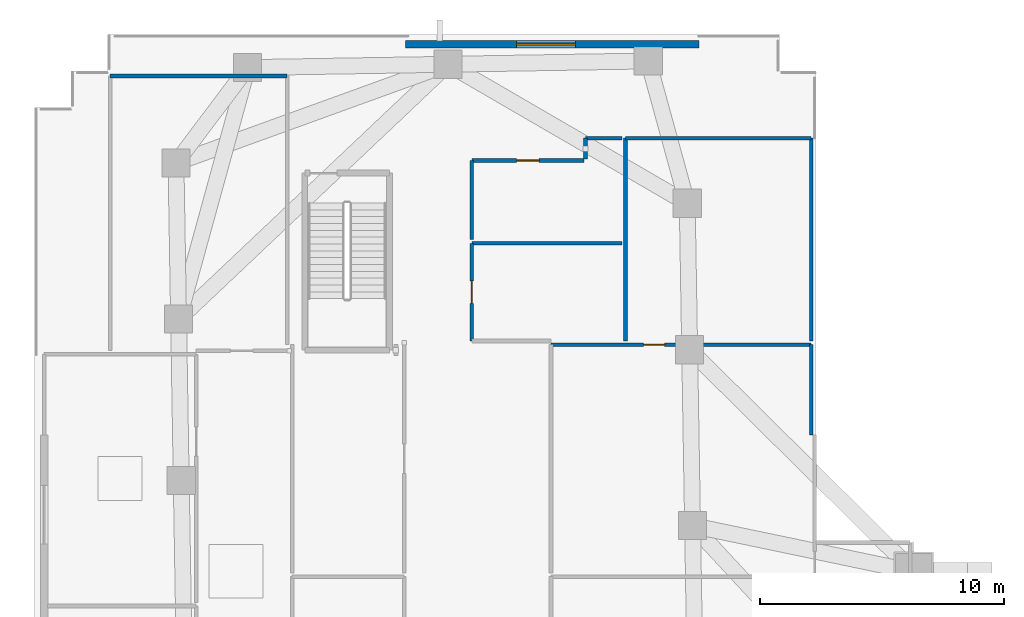
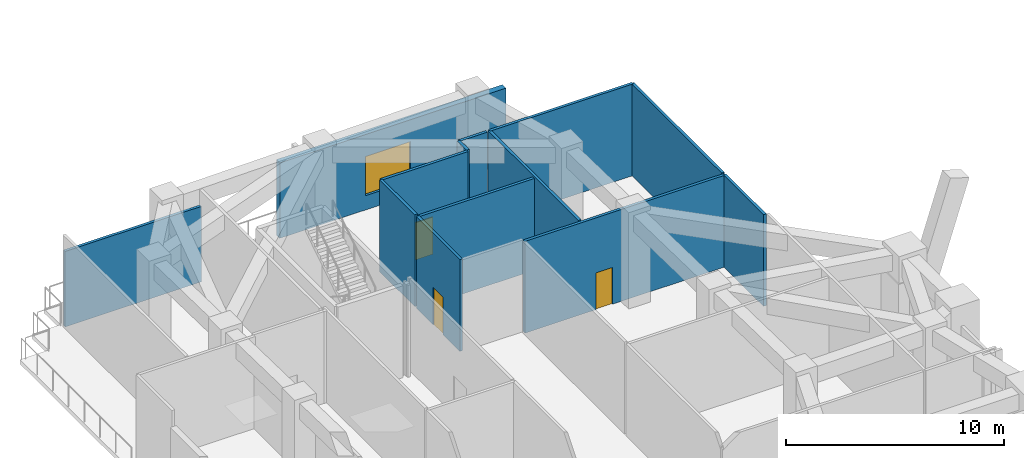
# One storey, part 10 of 18: 13 walls, 3 doors, 1 window, 4 openings.
"""IFC4 building model written with IfcOpenShell, lengths in metres."""

from ifc_helpers import new_model, si_unit, direction, frame, frame_2d, origin, place, context, subcontext, project, spatial, rectangle, extrude, material, layer, layer_set, type_object, element, fill, save


model = new_model("IFC4")

# Units and contexts
model_context = context("Model", 3, precision=1e-05, world=origin(), true_north=direction((0.0, 1.0)))
body_context = subcontext(model_context, "Body", "Model", "MODEL_VIEW")
ifc_project = project(units=[si_unit("LENGTHUNIT", "METRE"), si_unit("AREAUNIT", "SQUARE_METRE"), si_unit("VOLUMEUNIT", "CUBIC_METRE"), si_unit("PLANEANGLEUNIT", "RADIAN"), si_unit("MASSUNIT", "GRAM", prefix="KILO")], contexts=[model_context])

# Site, building, storey
site_placement = place(None, origin())
site = spatial("IfcSite", under=ifc_project, at=site_placement, CompositionType="ELEMENT")
building_placement = place(site_placement, origin())
building = spatial("IfcBuilding", under=site, at=building_placement, Name="Gaonmaruhae Medical Tower", CompositionType="ELEMENT")
storey_placement = place(building_placement, frame((0.0, 0.0, 5.39990234375)))
storey = spatial("IfcBuildingStorey", under=building, at=storey_placement, Name="L01", CompositionType="ELEMENT", Elevation=5.39990234375)

# Wall, opening, window
ifc_material_1 = material(Name="Precast concrete C45/55", Category="concrete")
ifc_layer_1 = layer(ifc_material_1, 0.320068359375)
ifc_layer_set_1 = layer_set([ifc_layer_1], Name="Precast concrete C45/55")
wall_type_1 = type_object("IfcWallType", Name="EW-320 Lower Precast Masonry-Frame Facade Wall", PredefinedType="SOLIDWALL", material=ifc_layer_set_1)
wall_1_placement = place(storey_placement, frame((15.199951171875, 50.800048828125, 0.0), z_axis=(0.0, 0.0, 1.0), x_axis=(1.0, 0.0, 0.0)))
wall_1 = element("IfcWall", 1, at=wall_1_placement, inside=storey, type_object=wall_type_1, Name="L01 Precast Facade Wall PB-N2", PredefinedType="SOLIDWALL", context=body_context, shape_type="SweptSolid", body=[
    extrude(rectangle(XDim=12.0, YDim=0.320068359375, at=frame_2d((6.0, 0.0))), origin(), (0.0, 0.0, 1.0), 4.22998046875),
])
opening_1_placement = place(wall_1_placement, frame((4.544921875, 0.0, 0.800048828125)))
opening_1 = element("IfcOpeningElement", 2, at=opening_1_placement, cuts=wall_1, Name="Opening WN-06", PredefinedType="OPENING", context=body_context, shape_type="SweptSolid", body=[
    extrude(rectangle(XDim=2.39990234375, YDim=2.199951171875, at=frame_2d((1.199951171875, 1.10009765625))), frame((0.0, 0.169921875, 0.0), z_axis=(0.0, -1.0, 0.0), x_axis=(1.0, 0.0, 0.0)), (0.0, 0.0, 1.0), 0.340087890625),
])
ifc_material_2 = material(Name="Anodised aluminium and Low-E double glazing", Category="aluminium")
window_type = type_object("IfcWindowType", Name="WN-06 Podium Diagnostic Punched Window 2400x2200", PartitioningType="SINGLE_PANEL", PredefinedType="WINDOW", material=ifc_material_2)
window_placement = place(opening_1_placement, origin())
window = element("IfcWindow", 3, at=window_placement, inside=storey, type_object=window_type, Name="L01 Podium Punched Window PB-N2", OverallHeight=2.199951171875, OverallWidth=2.39990234375, PartitioningType="SINGLE_PANEL", PredefinedType="WINDOW", context=body_context, shape_type="SweptSolid", body=[
    extrude(rectangle(XDim=2.39990234375, YDim=2.199951171875, at=frame_2d((1.199951171875, 1.10009765625))), frame((0.0, 0.030029296875, 0.0), z_axis=(0.0, -1.0, 0.0), x_axis=(1.0, 0.0, 0.0)), (0.0, 0.0, 1.0), 0.06005859375),
])
fill(opening_1, window)

# Wall, opening, door
ifc_material_3 = material(Name="Gypsum board partition", Category="gypsum")
ifc_layer_2 = layer(ifc_material_3, 0.14990234375)
ifc_layer_set_2 = layer_set([ifc_layer_2], Name="Gypsum board partition")
wall_type_2 = type_object("IfcWallType", Name="PW-150 Rated Clinical Corridor Partition", PredefinedType="PARTITIONING", material=ifc_layer_set_2)
wall_2_placement = place(storey_placement, frame((21.14990234375, 38.5, 0.0), z_axis=(0.0, 0.0, 1.0), x_axis=(1.0, 0.0, 0.0)))
wall_2 = element("IfcWall", 4, at=wall_2_placement, inside=storey, type_object=wall_type_2, Name="L01 Interior Partition L01-D6-62", PredefinedType="PARTITIONING", context=body_context, shape_type="SweptSolid", body=[
    extrude(rectangle(XDim=10.650146484375, YDim=0.14990234375, at=frame_2d((5.3251953125, 0.0))), origin(), (0.0, 0.0, 1.0), 5.150146484375),
])
opening_2_placement = place(wall_2_placement, frame((3.787353515625, 0.0, 0.0)))
opening_2 = element("IfcOpeningElement", 5, at=opening_2_placement, cuts=wall_2, Name="Opening AD-01", PredefinedType="OPENING", context=body_context, shape_type="SweptSolid", body=[
    extrude(rectangle(XDim=0.860107421875, YDim=2.06005859375, at=frame_2d((0.43017578125, 1.030029296875))), frame((0.0, 0.0849609375, 0.0), z_axis=(0.0, -1.0, 0.0), x_axis=(1.0, 0.0, 0.0)), (0.0, 0.0, 1.0), 0.169921875),
])
ifc_material_4 = material(Name="Powder-coated steel access door", Category="steel")
door_type_1 = type_object("IfcDoorType", Name="AD-01 Riser & Closet Access Fire Door 860x2060", OperationType="NOTDEFINED", PredefinedType="DOOR", material=ifc_material_4)
door_1_placement = place(opening_2_placement, origin())
door_1 = element("IfcDoor", 6, at=door_1_placement, inside=storey, type_object=door_type_1, Name="L01 Medical Records and Reporting Office Sliding Door", OperationType="SLIDING_TO_LEFT", OverallHeight=2.06005859375, OverallWidth=0.860107421875, PredefinedType="DOOR", context=body_context, shape_type="SweptSolid", body=[
    extrude(rectangle(XDim=0.860107421875, YDim=2.06005859375, at=frame_2d((0.43017578125, 1.030029296875))), frame((0.0, 0.02490234375, 0.0), z_axis=(0.0, -1.0, 0.0), x_axis=(1.0, 0.0, 0.0)), (0.0, 0.0, 1.0), 0.050048828125),
])
fill(opening_2, door_1)

# Walls
wall_3_placement = place(storey_placement, frame((31.800048828125, 38.5, 0.0), z_axis=(0.0, 0.0, 1.0), x_axis=(0.0, -1.0, 0.0)))
element("IfcWall", 7, at=wall_3_placement, inside=storey, type_object=wall_type_2, Name="L01 Interior Partition L01-D6-63", PredefinedType="PARTITIONING", context=body_context, shape_type="SweptSolid", body=[
    extrude(rectangle(XDim=3.699951171875, YDim=0.14990234375, at=frame_2d((1.85009765625, 0.0))), origin(), (0.0, 0.0, 1.0), 5.150146484375),
])
wall_4_placement = place(storey_placement, frame((24.199951171875, 46.949951171875, 0.0), z_axis=(0.0, 0.0, 1.0), x_axis=(1.0, 0.0, 0.0)))
element("IfcWall", 8, at=wall_4_placement, inside=storey, type_object=wall_type_2, Name="L01 Interior Partition L01-D7-65", PredefinedType="PARTITIONING", context=body_context, shape_type="SweptSolid", body=[
    extrude(rectangle(XDim=7.60009765625, YDim=0.14990234375, at=frame_2d((3.800048828125, 0.0))), origin(), (0.0, 0.0, 1.0), 5.150146484375),
])
for number, where, z_axis, x_axis, name in (
    (9, (31.800048828125, 46.949951171875, 0.0), (0.0, 0.0, 1.0), (0.0, -1.0, 0.0), "L01 Interior Partition L01-D7-66"),
    (10, (24.199951171875, 38.64990234375, 0.0), (0.0, 0.0, 1.0), (0.0, 1.0, 0.0), "L01 Interior Partition L01-D7-67"),
):
    element("IfcWall", number, at=place(storey_placement, frame(where, z_axis=z_axis, x_axis=x_axis)), inside=storey, type_object=wall_type_2, Name=name, PredefinedType="PARTITIONING", context=body_context, shape_type="SweptSolid", body=[
        extrude(rectangle(XDim=8.300048828125, YDim=0.14990234375, at=frame_2d((4.14990234375, 0.0))), origin(), (0.0, 0.0, 1.0), 5.150146484375),
    ])

# Wall, opening, door
wall_5_placement = place(storey_placement, frame((17.909912109375, 38.64990234375, 0.0), z_axis=(0.0, 0.0, 1.0), x_axis=(0.0, 1.0, 0.0)))
wall_5 = element("IfcWall", 11, at=wall_5_placement, inside=storey, type_object=wall_type_2, Name="L01 Interior Partition L01-WC-69", PredefinedType="PARTITIONING", context=body_context, shape_type="SweptSolid", body=[
    extrude(rectangle(XDim=4.0, YDim=0.14990234375, at=frame_2d((2.0, 0.0))), origin(), (0.0, 0.0, 1.0), 5.150146484375),
])
opening_3_placement = place(wall_5_placement, frame((1.5400390625, 0.0, 0.0)))
opening_3 = element("IfcOpeningElement", 12, at=opening_3_placement, cuts=wall_5, Name="Opening UD-01", PredefinedType="OPENING", context=body_context, shape_type="SweptSolid", body=[
    extrude(rectangle(XDim=0.919921875, YDim=2.10009765625, at=frame_2d((0.4599609375, 1.050048828125))), frame((0.0, 0.0849609375, 0.0), z_axis=(0.0, -1.0, 0.0), x_axis=(1.0, 0.0, 0.0)), (0.0, 0.0, 1.0), 0.169921875),
])
ifc_material_5 = material(Name="Powder-coated steel utility door", Category="steel")
door_type_2 = type_object("IfcDoorType", Name="UD-01 Toilet, Utility & Housekeeping Door 920x2100", OperationType="NOTDEFINED", PredefinedType="DOOR", material=ifc_material_5)
door_2_placement = place(opening_3_placement, origin())
door_2 = element("IfcDoor", 13, at=door_2_placement, inside=storey, type_object=door_type_2, Name="L01 L01 Public Toilet Door", OperationType="SINGLE_SWING_LEFT", OverallHeight=2.10009765625, OverallWidth=0.919921875, PredefinedType="DOOR", context=body_context, shape_type="SweptSolid", body=[
    extrude(rectangle(XDim=0.919921875, YDim=2.10009765625, at=frame_2d((0.4599609375, 1.050048828125))), frame((0.0, 0.02490234375, 0.0), z_axis=(0.0, -1.0, 0.0), x_axis=(1.0, 0.0, 0.0)), (0.0, 0.0, 1.0), 0.050048828125),
])
fill(opening_3, door_2)

# Walls
wall_6_placement = place(storey_placement, frame((17.909912109375, 42.64990234375, 0.0), z_axis=(0.0, 0.0, 1.0), x_axis=(1.0, 0.0, 0.0)))
element("IfcWall", 14, at=wall_6_placement, inside=storey, type_object=wall_type_2, Name="L01 Interior Partition L01-WC-70", PredefinedType="PARTITIONING", context=body_context, shape_type="SweptSolid", body=[
    extrude(rectangle(XDim=6.14013671875, YDim=0.14990234375, at=frame_2d((3.070068359375, 0.0))), origin(), (0.0, 0.0, 1.0), 5.150146484375),
])
wall_7_placement = place(storey_placement, frame((22.56005859375, 46.093994140625, 0.0), z_axis=(0.0, 0.0, 1.0), x_axis=(0.0, 1.0, 0.0)))
element("IfcWall", 15, at=wall_7_placement, inside=storey, type_object=wall_type_2, Name="L01 Interior Partition L01-AWC-71", PredefinedType="PARTITIONING", context=body_context, shape_type="SweptSolid", body=[
    extrude(rectangle(XDim=0.85595703125, YDim=0.14990234375, at=frame_2d((0.427978515625, 0.0))), origin(), (0.0, 0.0, 1.0), 5.150146484375),
])
wall_8_placement = place(storey_placement, frame((22.56005859375, 46.949951171875, 0.0), z_axis=(0.0, 0.0, 1.0), x_axis=(1.0, 0.0, 0.0)))
element("IfcWall", 16, at=wall_8_placement, inside=storey, type_object=wall_type_2, Name="L01 Interior Partition L01-AWC-72", PredefinedType="PARTITIONING", context=body_context, shape_type="SweptSolid", body=[
    extrude(rectangle(XDim=1.489990234375, YDim=0.14990234375, at=frame_2d((0.7451171875, 0.0))), origin(), (0.0, 0.0, 1.0), 5.150146484375),
])
wall_9_placement = place(storey_placement, frame((17.909912109375, 42.800048828125, 0.0), z_axis=(0.0, 0.0, 1.0), x_axis=(0.0, 1.0, 0.0)))
element("IfcWall", 17, at=wall_9_placement, inside=storey, type_object=wall_type_2, Name="L01 Interior Partition L01-AWC-73", PredefinedType="PARTITIONING", context=body_context, shape_type="SweptSolid", body=[
    extrude(rectangle(XDim=3.239990234375, YDim=0.14990234375, at=frame_2d((1.6201171875, 0.0))), origin(), (0.0, 0.0, 1.0), 5.150146484375),
])

# Wall, opening, door
wall_10_placement = place(storey_placement, frame((17.909912109375, 46.0400390625, 0.0), z_axis=(0.0, 0.0, 1.0), x_axis=(1.0, 0.0, 0.0)))
wall_10 = element("IfcWall", 18, at=wall_10_placement, inside=storey, type_object=wall_type_2, Name="L01 Interior Partition L01-AWC-74", PredefinedType="PARTITIONING", context=body_context, shape_type="SweptSolid", body=[
    extrude(rectangle(XDim=4.590087890625, YDim=0.14990234375, at=frame_2d((2.294921875, 0.0))), origin(), (0.0, 0.0, 1.0), 5.150146484375),
])
opening_4_placement = place(wall_10_placement, frame((1.8349609375, 0.0, 0.0)))
opening_4 = element("IfcOpeningElement", 19, at=opening_4_placement, cuts=wall_10, Name="Opening UD-01", PredefinedType="OPENING", context=body_context, shape_type="SweptSolid", body=[
    extrude(rectangle(XDim=0.919921875, YDim=2.10009765625, at=frame_2d((0.4599609375, 1.050048828125))), frame((0.0, 0.0849609375, 0.0), z_axis=(0.0, -1.0, 0.0), x_axis=(1.0, 0.0, 0.0)), (0.0, 0.0, 1.0), 0.169921875),
])
door_3_placement = place(opening_4_placement, origin())
door_3 = element("IfcDoor", 20, at=door_3_placement, inside=storey, type_object=door_type_2, Name="L01 L01 Accessible Public Toilet Door", OperationType="SINGLE_SWING_RIGHT", OverallHeight=2.10009765625, OverallWidth=0.919921875, PredefinedType="DOOR", context=body_context, shape_type="SweptSolid", body=[
    extrude(rectangle(XDim=0.919921875, YDim=2.10009765625, at=frame_2d((0.4599609375, 1.050048828125))), frame((0.0, 0.02490234375, 0.0), z_axis=(0.0, -1.0, 0.0), x_axis=(1.0, 0.0, 0.0)), (0.0, 0.0, 1.0), 0.050048828125),
])
fill(opening_4, door_3)

# Wall
wall_11_placement = place(storey_placement, frame((3.10009765625, 49.5, 0.0), z_axis=(0.0, 0.0, 1.0), x_axis=(1.0, 0.0, 0.0)))
element("IfcWall", 21, at=wall_11_placement, inside=storey, type_object=wall_type_2, Name="L01 Interior Partition L01-HSK-77", PredefinedType="PARTITIONING", context=body_context, shape_type="SweptSolid", body=[
    extrude(rectangle(XDim=7.25, YDim=0.14990234375, at=frame_2d((3.625, 0.0))), origin(), (0.0, 0.0, 1.0), 4.235107421875),
])

save(model, "model.ifc")
